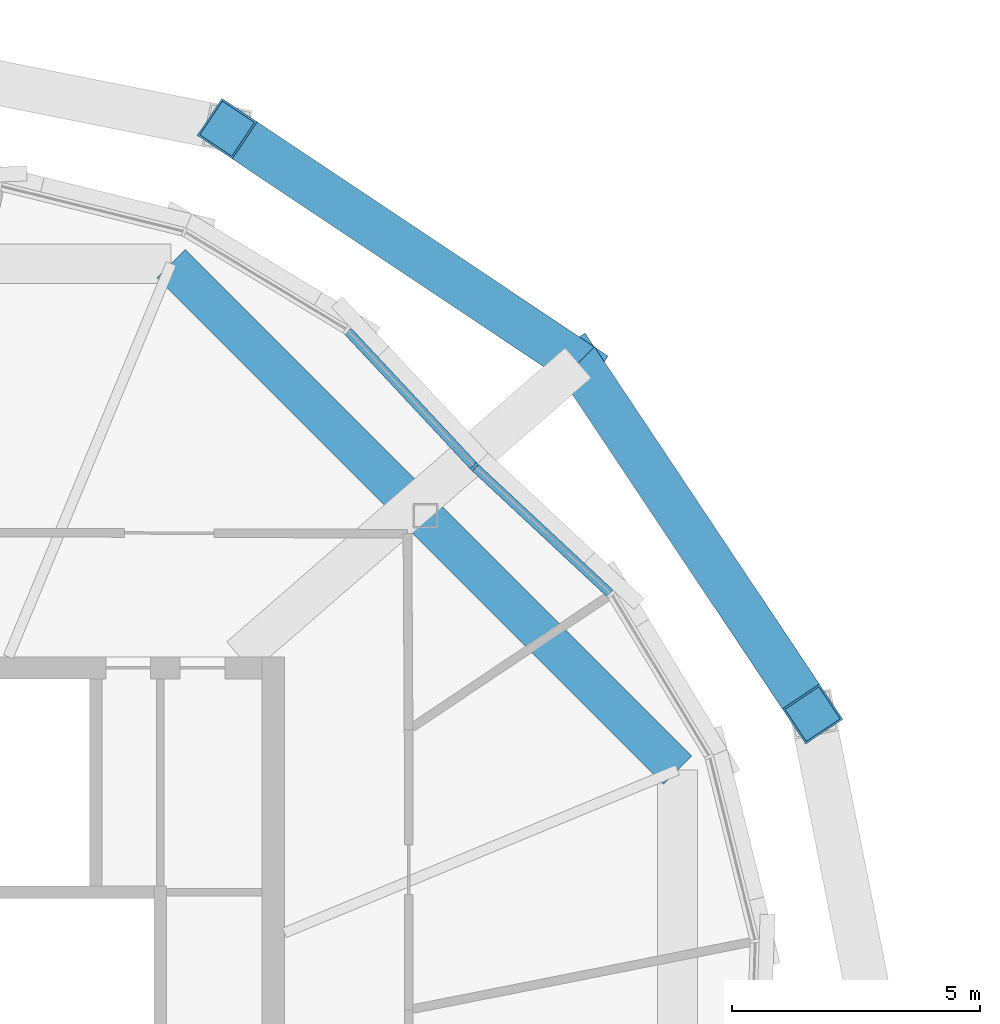
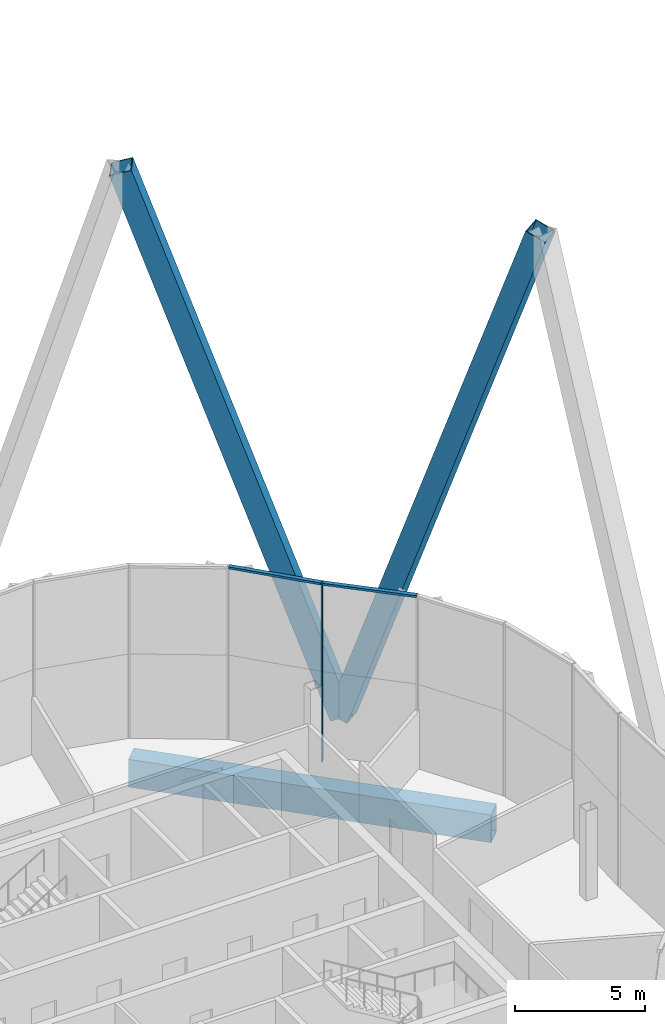
# One storey, part 10 of 38: 5 members, 1 beam, 2 elements without a shape of their own.
"""IFC4 building model written with IfcOpenShell, lengths in metres."""

from ifc_helpers import new_model, si_unit, direction, frame, origin, origin_2d, place, context, subcontext, project, spatial, rectangle, hollow_rectangle, extrude, material, material_profile, profile_set, type_object, element, aggregate, save


model = new_model("IFC4")

# Units and contexts
model_context = context("Model", 3, precision=1e-05, world=origin(), true_north=direction((0.0, 1.0)))
body_context = subcontext(model_context, "Body", "Model", "MODEL_VIEW")
ifc_project = project(units=[si_unit("LENGTHUNIT", "METRE"), si_unit("AREAUNIT", "SQUARE_METRE"), si_unit("VOLUMEUNIT", "CUBIC_METRE"), si_unit("PLANEANGLEUNIT", "RADIAN"), si_unit("MASSUNIT", "GRAM", prefix="KILO")], contexts=[model_context])

# Site, building, storey
site_placement = place(None, origin())
site = spatial("IfcSite", under=ifc_project, at=site_placement, CompositionType="ELEMENT")
building_placement = place(site_placement, origin())
building = spatial("IfcBuilding", under=site, at=building_placement, Name="Ogive Gate Towers", CompositionType="ELEMENT")
storey_placement = place(building_placement, frame((0.0, 0.0, 268.800048828125)))
storey = spatial("IfcBuildingStorey", under=building, at=storey_placement, Name="L63", CompositionType="ELEMENT", Elevation=268.800048828125)

# Members
ifc_material_1 = material(Name="Steel SM460", Category="steel")
ifc_material_profile_1 = material_profile(ifc_material_1, hollow_rectangle(XDim=0.89990234375, YDim=0.89990234375, WallThickness=0.0400390625, at=origin_2d()), Name="BX 900x900x40")
ifc_profile_set_1 = profile_set([ifc_material_profile_1], Name="Steel SM460")
member_type_1 = type_object("IfcMemberType", Name="Diagrid diagonal BX 900x900x40", PredefinedType="BRACE", material=ifc_profile_set_1)
for number, where, z_axis, x_axis, name in (
    (1, (-20.577880859375, 15.422119140625, 0.0), (0.177577062234, -0.266099402159, 0.947447885184), (0.831794180755, 0.555084174574, 0.0), "T1/L63/SDG003"),
    (2, (-20.577880859375, 15.422119140625, 0.0), (-0.266099402159, 0.177577062234, 0.947447885184), (-0.555084174574, -0.831794180755, 0.0), "T1/L63/SDG004"),
):
    element("IfcMember", number, at=place(storey_placement, frame(where, z_axis=z_axis, x_axis=x_axis)), inside=storey, type_object=member_type_1, Name=name, PredefinedType="BRACE", context=body_context, shape_type="SweptSolid", body=[
        extrude(hollow_rectangle(XDim=0.89990234375, YDim=0.89990234375, WallThickness=0.0400390625, at=origin_2d()), origin(), (0.0, 0.0, 1.0), 26.59765625),
    ])

# Beam
ifc_material_profile_2 = material_profile(ifc_material_1, hollow_rectangle(XDim=0.800048828125, YDim=1.300048828125, WallThickness=0.050048828125, at=origin_2d()), Name="BX 1300x800x50")
ifc_profile_set_2 = profile_set([ifc_material_profile_2], Name="Steel SM460")
beam_type = type_object("IfcBeamType", Name="Edge girder BX 1300x800x50", PredefinedType="BEAM", material=ifc_profile_set_2)
beam_placement = place(storey_placement, frame((-18.57568359375, 7.217529296875, -0.949951171875), z_axis=(-0.707106781187, 0.707106781187, 0.0), x_axis=(-0.707106781187, -0.707106781187, 0.0)))
element("IfcBeam", 3, at=beam_placement, inside=storey, type_object=beam_type, Name="T1/L63/SBM021", PredefinedType="BEAM", context=body_context, shape_type="SweptSolid", body=[
    extrude(hollow_rectangle(XDim=0.800048828125, YDim=1.300048828125, WallThickness=0.050048828125, at=origin_2d()), origin(), (0.0, 0.0, 1.0), 14.4345703125),
])

# Curtain wall, members
ifc_material_2 = material(Name="Pale metal aluminium", Category="aluminium")
curtain_wall_type = type_object("IfcCurtainWallType", Name="Tower unitised wall, high zone", PredefinedType="NOTDEFINED", material=ifc_material_2)
curtain_wall_1_placement = place(storey_placement, origin())
curtain_wall_1 = element("IfcCurtainWall", 4, at=curtain_wall_1_placement, inside=storey, type_object=curtain_wall_type, Name="CW2 T1 ECW01", PredefinedType="NOTDEFINED")
ifc_material_profile_3 = material_profile(ifc_material_2, rectangle(XDim=0.179931640625, YDim=0.06005859375, at=origin_2d()), Name="60 x 180 aluminium box")
ifc_profile_set_3 = profile_set([ifc_material_profile_3], Name="Pale metal aluminium")
member_type_2 = type_object("IfcMemberType", Name="Tower unitised wall, high zone mullion 60 x 180", PredefinedType="MULLION", material=ifc_profile_set_3)
member_1_placement = place(storey_placement, frame((-22.670654296875, 13.328857421875, -0.300048828125), z_axis=(0.0, 0.0, 1.0), x_axis=(0.682253609109, 0.73111559473, 0.0)))
member_1 = element("IfcMember", 5, at=member_1_placement, type_object=member_type_2, Name="CW2 mullion", PredefinedType="MULLION", context=body_context, shape_type="SweptSolid", body=[
    extrude(rectangle(XDim=0.179931640625, YDim=0.06005859375, at=origin_2d()), origin(), (0.0, 0.0, 1.0), 8.39990234375),
])
ifc_material_profile_4 = material_profile(ifc_material_2, rectangle(XDim=0.179931640625, YDim=0.10009765625, at=origin_2d()), Name="100 x 180 aluminium box")
ifc_profile_set_4 = profile_set([ifc_material_profile_4], Name="Pale metal aluminium")
member_type_3 = type_object("IfcMemberType", Name="Tower unitised wall, high zone transom 100 x 180", PredefinedType="USERDEFINED", material=ifc_profile_set_4)
member_2_placement = place(storey_placement, frame((-19.936279296875, 10.777099609375, 8.050048828125), z_axis=(-0.731099032863, 0.682271356681, 0.0), x_axis=(-0.682271356681, -0.731099032863, 0.0)))
member_2 = element("IfcMember", 6, at=member_2_placement, type_object=member_type_3, Name="CW2 transom", ObjectType="TRANSOM", PredefinedType="USERDEFINED", context=body_context, shape_type="SweptSolid", body=[
    extrude(rectangle(XDim=0.179931640625, YDim=0.10009765625, at=origin_2d()), origin(), (0.0, 0.0, 1.0), 3.7099609375),
])
aggregate(curtain_wall_1, [member_1, member_2])

# Curtain wall, member
curtain_wall_2_placement = place(storey_placement, origin())
curtain_wall_2 = element("IfcCurtainWall", 7, at=curtain_wall_2_placement, inside=storey, type_object=curtain_wall_type, Name="CW2 T1 ECW02", PredefinedType="NOTDEFINED")
member_3_placement = place(storey_placement, frame((-22.691650390625, 13.351318359375, 8.050048828125), z_axis=(-0.682271356681, 0.731099032863, 0.0), x_axis=(-0.731099032863, -0.682271356681, 0.0)))
member_3 = element("IfcMember", 8, at=member_3_placement, type_object=member_type_3, Name="CW2 transom", ObjectType="TRANSOM", PredefinedType="USERDEFINED", context=body_context, shape_type="SweptSolid", body=[
    extrude(rectangle(XDim=0.179931640625, YDim=0.10009765625, at=origin_2d()), origin(), (0.0, 0.0, 1.0), 3.7099609375),
])
aggregate(curtain_wall_2, [member_3])

save(model, "model.ifc")
